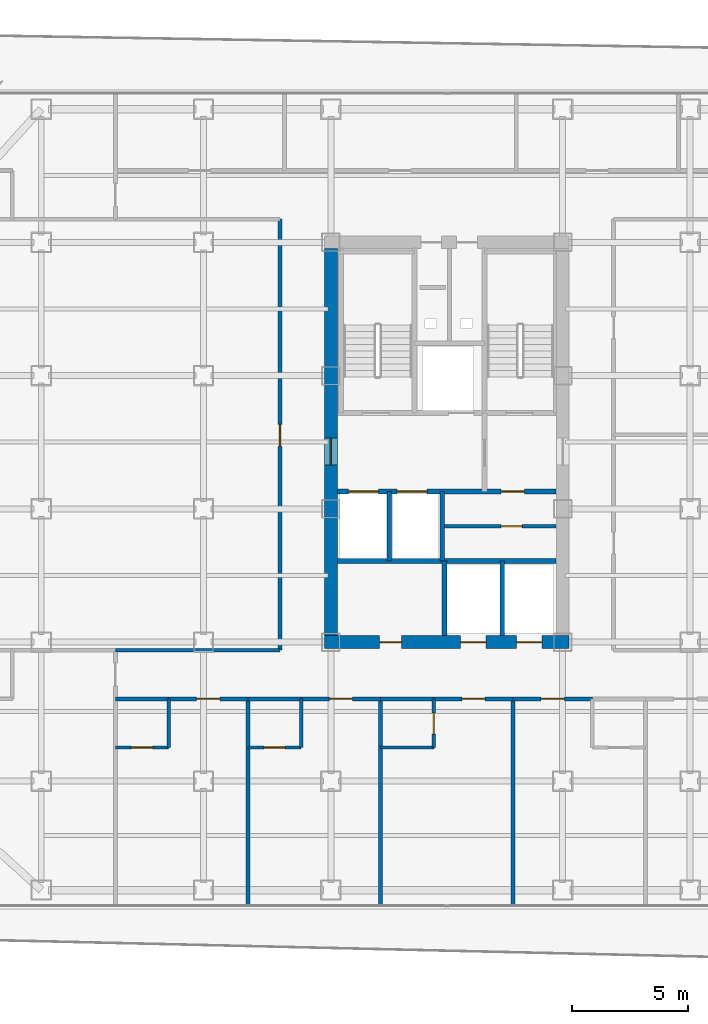
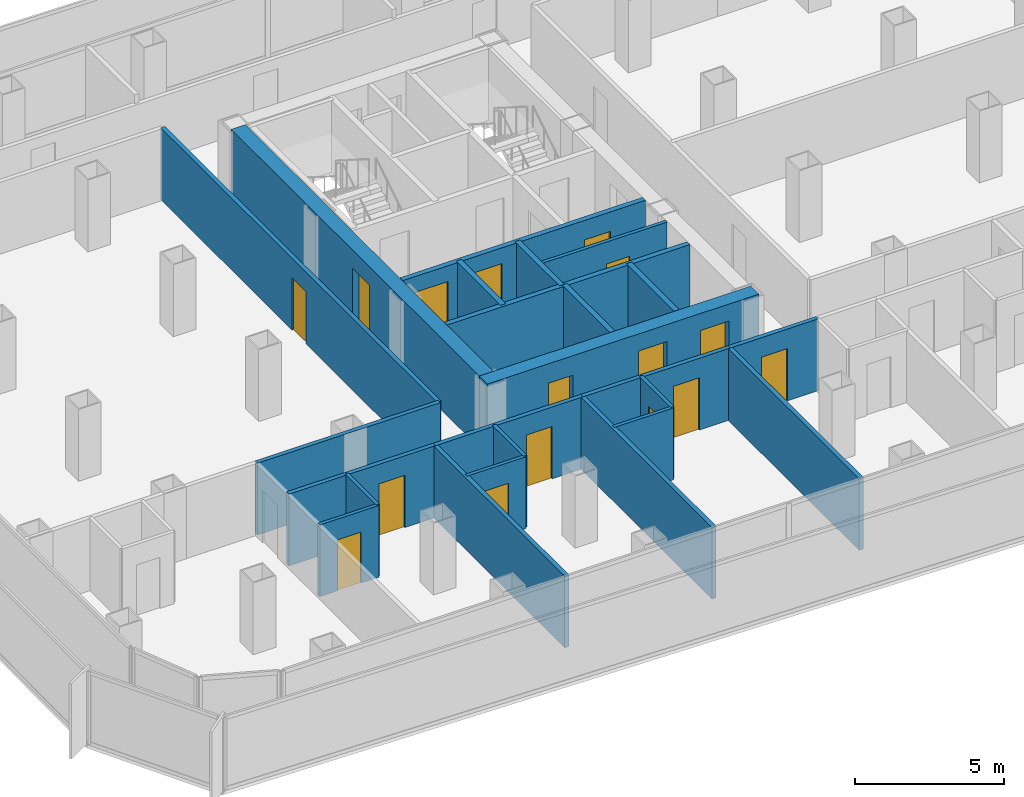
# One storey, part 16 of 21: 27 walls, 16 doors, 16 openings.
"""IFC4 building model written with IfcOpenShell, lengths in metres."""

from ifc_helpers import new_model, si_unit, direction, frame, frame_2d, origin, place, context, subcontext, project, spatial, rectangle, extrude, material, layer, layer_set, type_object, element, fill, save


model = new_model("IFC4")

# Units and contexts
model_context = context("Model", 3, precision=1e-05, world=origin(), true_north=direction((0.0, 1.0)))
body_context = subcontext(model_context, "Body", "Model", "MODEL_VIEW")
ifc_project = project(units=[si_unit("LENGTHUNIT", "METRE"), si_unit("AREAUNIT", "SQUARE_METRE"), si_unit("VOLUMEUNIT", "CUBIC_METRE"), si_unit("PLANEANGLEUNIT", "RADIAN"), si_unit("MASSUNIT", "GRAM", prefix="KILO")], contexts=[model_context])

# Site, building, storey
site_placement = place(None, origin())
site = spatial("IfcSite", under=ifc_project, at=site_placement, CompositionType="ELEMENT")
building_placement = place(site_placement, origin())
building = spatial("IfcBuilding", under=site, at=building_placement, Name="Kolveth Station Tower", CompositionType="ELEMENT")
storey_placement = place(building_placement, frame((0.0, 0.0, 102.300048828125)))
storey = spatial("IfcBuildingStorey", under=building, at=storey_placement, Name="L27", CompositionType="ELEMENT", Elevation=102.300048828125)

# Wall, openings, doors
ifc_material_1 = material(Name="Concrete C60/75", Category="concrete")
ifc_layer_1 = layer(ifc_material_1, 0.550048828125)
ifc_layer_set_1 = layer_set([ifc_layer_1], Name="Concrete C60/75")
wall_type_1 = type_object("IfcWallType", Name="Wall_CW-550", PredefinedType="SHEAR", material=ifc_layer_set_1)
wall_1_placement = place(storey_placement, frame((18.22509765625, 11.5, 0.0), z_axis=(0.0, 0.0, 1.0), x_axis=(1.0, 0.0, 0.0)))
wall_1 = element("IfcWall", 1, at=wall_1_placement, inside=storey, type_object=wall_type_1, Name="L27 Core RC Shear Wall S", PredefinedType="SHEAR", context=body_context, shape_type="SweptSolid", body=[
    extrude(rectangle(XDim=10.5498046875, YDim=0.550048828125, at=frame_2d((5.27490234375, 0.0))), origin(), (0.0, 0.0, 1.0), 2.949951171875),
])
opening_1_placement = place(wall_1_placement, frame((2.375, 0.0, 0.0)))
opening_1 = element("IfcOpeningElement", 2, at=opening_1_placement, cuts=wall_1, Name="Opening ID1", PredefinedType="OPENING", context=body_context, shape_type="SweptSolid", body=[
    extrude(rectangle(XDim=0.949951171875, YDim=2.14990234375, at=frame_2d((0.47509765625, 1.074951171875))), frame((0.0, 0.284912109375, 0.0), z_axis=(0.0, -1.0, 0.0), x_axis=(1.0, 0.0, 0.0)), (0.0, 0.0, 1.0), 0.570068359375),
])
opening_2_placement = place(wall_1_placement, frame((5.875, 0.0, 0.0)))
opening_2 = element("IfcOpeningElement", 3, at=opening_2_placement, cuts=wall_1, Name="Opening LD1", PredefinedType="OPENING", context=body_context, shape_type="SweptSolid", body=[
    extrude(rectangle(XDim=1.10009765625, YDim=2.25, at=frame_2d((0.550048828125, 1.125))), frame((0.0, 0.284912109375, 0.0), z_axis=(0.0, -1.0, 0.0), x_axis=(1.0, 0.0, 0.0)), (0.0, 0.0, 1.0), 0.570068359375),
])
opening_3_placement = place(wall_1_placement, frame((8.27490234375, 0.0, 0.0)))
opening_3 = element("IfcOpeningElement", 4, at=opening_3_placement, cuts=wall_1, Name="Opening LD1", PredefinedType="OPENING", context=body_context, shape_type="SweptSolid", body=[
    extrude(rectangle(XDim=1.10009765625, YDim=2.25, at=frame_2d((0.550048828125, 1.125))), frame((0.0, 0.284912109375, 0.0), z_axis=(0.0, -1.0, 0.0), x_axis=(1.0, 0.0, 0.0)), (0.0, 0.0, 1.0), 0.570068359375),
])
ifc_material_2 = material(Name="Acoustic hardwood leaf and aluminium frame", Category="wood")
door_type_1 = type_object("IfcDoorType", Name="Door_ID1", OperationType="NOTDEFINED", PredefinedType="DOOR", material=ifc_material_2)
door_1_placement = place(opening_1_placement, frame((0.949951171875, 0.0, 0.0), z_axis=(0.0, 0.0, 1.0), x_axis=(-1.0, 0.0, 0.0)))
door_1 = element("IfcDoor", 5, at=door_1_placement, inside=storey, type_object=door_type_1, Name="L27 Hotel Pantry Door", OperationType="SINGLE_SWING_LEFT", OverallHeight=2.14990234375, OverallWidth=0.949951171875, PredefinedType="DOOR", context=body_context, shape_type="SweptSolid", body=[
    extrude(rectangle(XDim=0.949951171875, YDim=2.14990234375, at=frame_2d((0.47509765625, 1.074951171875))), frame((0.0, 0.02490234375, 0.0), z_axis=(0.0, -1.0, 0.0), x_axis=(1.0, 0.0, 0.0)), (0.0, 0.0, 1.0), 0.050048828125),
])
fill(opening_1, door_1)
ifc_material_3 = material(Name="Brushed stainless steel sliding landing doors", Category="steel")
door_type_2 = type_object("IfcDoorType", Name="Door_LD1", OperationType="NOTDEFINED", PredefinedType="DOOR", material=ifc_material_3)
door_2_placement = place(opening_2_placement, frame((1.10009765625, 0.0, 0.0), z_axis=(0.0, 0.0, 1.0), x_axis=(-1.0, 0.0, 0.0)))
door_2 = element("IfcDoor", 6, at=door_2_placement, inside=storey, type_object=door_type_2, Name="L27 Lift PM1 Landing Door", OperationType="DOUBLE_DOOR_SLIDING", OverallHeight=2.25, OverallWidth=1.10009765625, PredefinedType="DOOR", context=body_context, shape_type="SweptSolid", body=[
    extrude(rectangle(XDim=1.10009765625, YDim=2.25, at=frame_2d((0.550048828125, 1.125))), frame((0.0, 0.02490234375, 0.0), z_axis=(0.0, -1.0, 0.0), x_axis=(1.0, 0.0, 0.0)), (0.0, 0.0, 1.0), 0.050048828125),
])
fill(opening_2, door_2)
door_3_placement = place(opening_3_placement, frame((1.10009765625, 0.0, 0.0), z_axis=(0.0, 0.0, 1.0), x_axis=(-1.0, 0.0, 0.0)))
door_3 = element("IfcDoor", 7, at=door_3_placement, inside=storey, type_object=door_type_2, Name="L27 Lift PH1 Landing Door", OperationType="DOUBLE_DOOR_SLIDING", OverallHeight=2.25, OverallWidth=1.10009765625, PredefinedType="DOOR", context=body_context, shape_type="SweptSolid", body=[
    extrude(rectangle(XDim=1.10009765625, YDim=2.25, at=frame_2d((0.550048828125, 1.125))), frame((0.0, 0.02490234375, 0.0), z_axis=(0.0, -1.0, 0.0), x_axis=(1.0, 0.0, 0.0)), (0.0, 0.0, 1.0), 0.050048828125),
])
fill(opening_3, door_3)

# Wall, opening, door
wall_2_placement = place(storey_placement, frame((18.5, 11.77490234375, 0.0), z_axis=(0.0, 0.0, 1.0), x_axis=(0.0, 1.0, 0.0)))
wall_2 = element("IfcWall", 8, at=wall_2_placement, inside=storey, type_object=wall_type_1, Name="L27 Core RC Shear Wall W", PredefinedType="SHEAR", context=body_context, shape_type="SweptSolid", body=[
    extrude(rectangle(XDim=16.7001953125, YDim=0.550048828125, at=frame_2d((8.35009765625, 0.0))), origin(), (0.0, 0.0, 1.0), 2.949951171875),
])
opening_4_placement = place(wall_2_placement, frame((7.375, 0.0, 0.0)))
opening_4 = element("IfcOpeningElement", 9, at=opening_4_placement, cuts=wall_2, Name="Opening FD1", PredefinedType="OPENING", context=body_context, shape_type="SweptSolid", body=[
    extrude(rectangle(XDim=1.14990234375, YDim=2.199951171875, at=frame_2d((0.574951171875, 1.10009765625))), frame((0.0, 0.284912109375, 0.0), z_axis=(0.0, -1.0, 0.0), x_axis=(1.0, 0.0, 0.0)), (0.0, 0.0, 1.0), 0.570068359375),
])
ifc_material_4 = material(Name="Fire-rated Steel S355 leaf and frame", Category="steel")
door_type_3 = type_object("IfcDoorType", Name="Door_FD1", OperationType="NOTDEFINED", PredefinedType="DOOR", material=ifc_material_4)
door_4_placement = place(opening_4_placement, frame((1.14990234375, 0.0, 0.0), z_axis=(0.0, 0.0, 1.0), x_axis=(-1.0, 0.0, 0.0)))
door_4 = element("IfcDoor", 10, at=door_4_placement, inside=storey, type_object=door_type_3, Name="L27 West Corridor to Firefighting Lobby Door", OperationType="SINGLE_SWING_LEFT", OverallHeight=2.199951171875, OverallWidth=1.14990234375, PredefinedType="DOOR", context=body_context, shape_type="SweptSolid", body=[
    extrude(rectangle(XDim=1.14990234375, YDim=2.199951171875, at=frame_2d((0.574951171875, 1.10009765625))), frame((0.0, 0.02490234375, 0.0), z_axis=(0.0, -1.0, 0.0), x_axis=(1.0, 0.0, 0.0)), (0.0, 0.0, 1.0), 0.050048828125),
])
fill(opening_4, door_4)

ifc_material_5 = material(Name="Moisture-resistant gypsum partition")
ifc_layer_2 = layer(ifc_material_5, 0.135009765625)
ifc_layer_set_2 = layer_set([ifc_layer_2], Name="Moisture-resistant gypsum partition")
wall_type_2 = type_object("IfcWallType", Name="Wall_IW-135", PredefinedType="PARTITIONING", material=ifc_layer_set_2)
wall_3_placement = place(storey_placement, frame((23.300048828125, 16.5, 0.0), z_axis=(0.0, 0.0, 1.0), x_axis=(1.0, 0.0, 0.0)))
wall_3 = element("IfcWall", 11, at=wall_3_placement, inside=storey, type_object=wall_type_2, Name="L27 Partition Wall WL-L27-CB-H1", PredefinedType="PARTITIONING", context=body_context, shape_type="SweptSolid", body=[
    extrude(rectangle(XDim=4.9150390625, YDim=0.135009765625, at=frame_2d((2.45751953125, 0.0))), origin(), (0.0, 0.0, 1.0), 2.949951171875),
])
opening_5_placement = place(wall_3_placement, frame((2.550048828125, 0.0, 0.0)))
opening_5 = element("IfcOpeningElement", 12, at=opening_5_placement, cuts=wall_3, Name="Opening RD1", PredefinedType="OPENING", context=body_context, shape_type="SweptSolid", body=[
    extrude(rectangle(XDim=0.89990234375, YDim=2.050048828125, at=frame_2d((0.449951171875, 1.02490234375))), frame((0.0, 0.077392578125, 0.0), z_axis=(0.0, -1.0, 0.0), x_axis=(1.0, 0.0, 0.0)), (0.0, 0.0, 1.0), 0.155029296875),
])
ifc_material_6 = material(Name="Fire-rated Steel S355 riser access leaf", Category="steel")
door_type_4 = type_object("IfcDoorType", Name="Door_RD1", OperationType="NOTDEFINED", PredefinedType="DOOR", material=ifc_material_6)
door_5_placement = place(opening_5_placement, frame((0.89990234375, 0.0, 0.0), z_axis=(0.0, 0.0, 1.0), x_axis=(-1.0, 0.0, 0.0)))
door_5 = element("IfcDoor", 13, at=door_5_placement, inside=storey, type_object=door_type_4, Name="L27 Core Equipment Store Door", OperationType="SINGLE_SWING_RIGHT", OverallHeight=2.050048828125, OverallWidth=0.89990234375, PredefinedType="DOOR", context=body_context, shape_type="SweptSolid", body=[
    extrude(rectangle(XDim=0.89990234375, YDim=2.050048828125, at=frame_2d((0.449951171875, 1.02490234375))), frame((0.0, 0.02490234375, 0.0), z_axis=(0.0, -1.0, 0.0), x_axis=(1.0, 0.0, 0.0)), (0.0, 0.0, 1.0), 0.050048828125),
])
fill(opening_5, door_5)

# Wall
wall_4_placement = place(storey_placement, frame((11.5, 6.949951171875, 0.0), z_axis=(0.0, 0.0, 1.0), x_axis=(0.0, 1.0, 0.0)))
element("IfcWall", 14, at=wall_4_placement, inside=storey, type_object=wall_type_2, Name="L27 Partition Wall WL-L27-HS1-BV", PredefinedType="PARTITIONING", context=body_context, shape_type="SweptSolid", body=[
    extrude(rectangle(XDim=2.10009765625, YDim=0.135009765625, at=frame_2d((1.050048828125, 0.0))), origin(), (0.0, 0.0, 1.0), 2.949951171875),
])

# Wall, opening, door
wall_5_placement = place(storey_placement, frame((9.199951171875, 6.949951171875, 0.0), z_axis=(0.0, 0.0, 1.0), x_axis=(1.0, 0.0, 0.0)))
wall_5 = element("IfcWall", 15, at=wall_5_placement, inside=storey, type_object=wall_type_2, Name="L27 Partition Wall WL-L27-HS1-BH", PredefinedType="PARTITIONING", context=body_context, shape_type="SweptSolid", body=[
    extrude(rectangle(XDim=2.300048828125, YDim=0.135009765625, at=frame_2d((1.14990234375, 0.0))), origin(), (0.0, 0.0, 1.0), 2.949951171875),
])
opening_6_placement = place(wall_5_placement, frame((0.68994140625, 0.0, 0.0)))
opening_6 = element("IfcOpeningElement", 16, at=opening_6_placement, cuts=wall_5, Name="Opening ID2", PredefinedType="OPENING", context=body_context, shape_type="SweptSolid", body=[
    extrude(rectangle(XDim=0.919921875, YDim=2.10009765625, at=frame_2d((0.4599609375, 1.050048828125))), frame((0.0, 0.077392578125, 0.0), z_axis=(0.0, -1.0, 0.0), x_axis=(1.0, 0.0, 0.0)), (0.0, 0.0, 1.0), 0.155029296875),
])
ifc_material_7 = material(Name="Moisture-resistant hardwood leaf", Category="wood")
door_type_5 = type_object("IfcDoorType", Name="Door_ID2", OperationType="NOTDEFINED", PredefinedType="DOOR", material=ifc_material_7)
door_6_placement = place(opening_6_placement, origin())
door_6 = element("IfcDoor", 17, at=door_6_placement, inside=storey, type_object=door_type_5, Name="L27 Hotel Guest Room HS1 En-Suite Door", OperationType="SINGLE_SWING_RIGHT", OverallHeight=2.10009765625, OverallWidth=0.919921875, PredefinedType="DOOR", context=body_context, shape_type="SweptSolid", body=[
    extrude(rectangle(XDim=0.919921875, YDim=2.10009765625, at=frame_2d((0.4599609375, 1.050048828125))), frame((0.0, 0.02490234375, 0.0), z_axis=(0.0, -1.0, 0.0), x_axis=(1.0, 0.0, 0.0)), (0.0, 0.0, 1.0), 0.050048828125),
])
fill(opening_6, door_6)

# Wall
wall_6_placement = place(storey_placement, frame((17.219970703125, 6.949951171875, 0.0), z_axis=(0.0, 0.0, 1.0), x_axis=(0.0, 1.0, 0.0)))
element("IfcWall", 18, at=wall_6_placement, inside=storey, type_object=wall_type_2, Name="L27 Partition Wall WL-L27-HS2-BV", PredefinedType="PARTITIONING", context=body_context, shape_type="SweptSolid", body=[
    extrude(rectangle(XDim=2.10009765625, YDim=0.135009765625, at=frame_2d((1.050048828125, 0.0))), origin(), (0.0, 0.0, 1.0), 2.949951171875),
])

# Wall, opening, door
wall_7_placement = place(storey_placement, frame((14.919921875, 6.949951171875, 0.0), z_axis=(0.0, 0.0, 1.0), x_axis=(1.0, 0.0, 0.0)))
wall_7 = element("IfcWall", 19, at=wall_7_placement, inside=storey, type_object=wall_type_2, Name="L27 Partition Wall WL-L27-HS2-BH", PredefinedType="PARTITIONING", context=body_context, shape_type="SweptSolid", body=[
    extrude(rectangle(XDim=2.300048828125, YDim=0.135009765625, at=frame_2d((1.14990234375, 0.0))), origin(), (0.0, 0.0, 1.0), 2.949951171875),
])
opening_7_placement = place(wall_7_placement, frame((0.68994140625, 0.0, 0.0)))
opening_7 = element("IfcOpeningElement", 20, at=opening_7_placement, cuts=wall_7, Name="Opening ID2", PredefinedType="OPENING", context=body_context, shape_type="SweptSolid", body=[
    extrude(rectangle(XDim=0.919921875, YDim=2.10009765625, at=frame_2d((0.4599609375, 1.050048828125))), frame((0.0, 0.077392578125, 0.0), z_axis=(0.0, -1.0, 0.0), x_axis=(1.0, 0.0, 0.0)), (0.0, 0.0, 1.0), 0.155029296875),
])
door_7_placement = place(opening_7_placement, origin())
door_7 = element("IfcDoor", 21, at=door_7_placement, inside=storey, type_object=door_type_5, Name="L27 Hotel Guest Room HS2 En-Suite Door", OperationType="SINGLE_SWING_LEFT", OverallHeight=2.10009765625, OverallWidth=0.919921875, PredefinedType="DOOR", context=body_context, shape_type="SweptSolid", body=[
    extrude(rectangle(XDim=0.919921875, YDim=2.10009765625, at=frame_2d((0.4599609375, 1.050048828125))), frame((0.0, 0.02490234375, 0.0), z_axis=(0.0, -1.0, 0.0), x_axis=(1.0, 0.0, 0.0)), (0.0, 0.0, 1.0), 0.050048828125),
])
fill(opening_7, door_7)

wall_8_placement = place(storey_placement, frame((22.93994140625, 6.949951171875, 0.0), z_axis=(0.0, 0.0, 1.0), x_axis=(0.0, 1.0, 0.0)))
wall_8 = element("IfcWall", 22, at=wall_8_placement, inside=storey, type_object=wall_type_2, Name="L27 Partition Wall WL-L27-HS3-BV", PredefinedType="PARTITIONING", context=body_context, shape_type="SweptSolid", body=[
    extrude(rectangle(XDim=2.10009765625, YDim=0.135009765625, at=frame_2d((1.050048828125, 0.0))), origin(), (0.0, 0.0, 1.0), 2.949951171875),
])
opening_8_placement = place(wall_8_placement, frame((0.580078125, 0.0, 0.0)))
opening_8 = element("IfcOpeningElement", 23, at=opening_8_placement, cuts=wall_8, Name="Opening ID2", PredefinedType="OPENING", context=body_context, shape_type="SweptSolid", body=[
    extrude(rectangle(XDim=0.919921875, YDim=2.10009765625, at=frame_2d((0.4599609375, 1.050048828125))), frame((0.0, 0.077392578125, 0.0), z_axis=(0.0, -1.0, 0.0), x_axis=(1.0, 0.0, 0.0)), (0.0, 0.0, 1.0), 0.155029296875),
])
door_8_placement = place(opening_8_placement, frame((0.919921875, 0.0, 0.0), z_axis=(0.0, 0.0, 1.0), x_axis=(-1.0, 0.0, 0.0)))
door_8 = element("IfcDoor", 24, at=door_8_placement, inside=storey, type_object=door_type_5, Name="L27 Hotel Guest Room HS3 En-Suite Door", OperationType="SINGLE_SWING_RIGHT", OverallHeight=2.10009765625, OverallWidth=0.919921875, PredefinedType="DOOR", context=body_context, shape_type="SweptSolid", body=[
    extrude(rectangle(XDim=0.919921875, YDim=2.10009765625, at=frame_2d((0.4599609375, 1.050048828125))), frame((0.0, 0.02490234375, 0.0), z_axis=(0.0, -1.0, 0.0), x_axis=(1.0, 0.0, 0.0)), (0.0, 0.0, 1.0), 0.050048828125),
])
fill(opening_8, door_8)

# Walls
wall_9_placement = place(storey_placement, frame((20.639892578125, 6.949951171875, 0.0), z_axis=(0.0, 0.0, 1.0), x_axis=(1.0, 0.0, 0.0)))
element("IfcWall", 25, at=wall_9_placement, inside=storey, type_object=wall_type_2, Name="L27 Partition Wall WL-L27-HS3-BH", PredefinedType="PARTITIONING", context=body_context, shape_type="SweptSolid", body=[
    extrude(rectangle(XDim=2.300048828125, YDim=0.135009765625, at=frame_2d((1.14990234375, 0.0))), origin(), (0.0, 0.0, 1.0), 2.949951171875),
])
ifc_material_8 = material(Name="Acoustic double-stud gypsum partition")
ifc_layer_3 = layer(ifc_material_8, 0.1650390625)
ifc_layer_set_3 = layer_set([ifc_layer_3], Name="Acoustic double-stud gypsum partition")
wall_type_3 = type_object("IfcWallType", Name="Wall_IW-165", PredefinedType="PARTITIONING", material=ifc_layer_set_3)
wall_10_placement = place(storey_placement, frame((9.199951171875, 11.14990234375, 0.0), z_axis=(0.0, 0.0, 1.0), x_axis=(1.0, 0.0, 0.0)))
element("IfcWall", 26, at=wall_10_placement, inside=storey, type_object=wall_type_3, Name="L27 Partition Wall WL-L27-HSWT", PredefinedType="PARTITIONING", context=body_context, shape_type="SweptSolid", body=[
    extrude(rectangle(XDim=7.10009765625, YDim=0.1650390625, at=frame_2d((3.550048828125, 0.0))), origin(), (0.0, 0.0, 1.0), 2.949951171875),
])

# Wall, opening, door
wall_11_placement = place(storey_placement, frame((16.300048828125, 11.14990234375, 0.0), z_axis=(0.0, 0.0, 1.0), x_axis=(0.0, 1.0, 0.0)))
wall_11 = element("IfcWall", 27, at=wall_11_placement, inside=storey, type_object=wall_type_3, Name="L27 Partition Wall WL-L27-HW", PredefinedType="PARTITIONING", context=body_context, shape_type="SweptSolid", body=[
    extrude(rectangle(XDim=18.60009765625, YDim=0.1650390625, at=frame_2d((9.300048828125, 0.0))), origin(), (0.0, 0.0, 1.0), 2.949951171875),
])
opening_9_placement = place(wall_11_placement, frame((8.800048828125, 0.0, 0.0)))
opening_9 = element("IfcOpeningElement", 28, at=opening_9_placement, cuts=wall_11, Name="Opening ID1", PredefinedType="OPENING", context=body_context, shape_type="SweptSolid", body=[
    extrude(rectangle(XDim=0.949951171875, YDim=2.14990234375, at=frame_2d((0.47509765625, 1.074951171875))), frame((0.0, 0.092529296875, 0.0), z_axis=(0.0, -1.0, 0.0), x_axis=(1.0, 0.0, 0.0)), (0.0, 0.0, 1.0), 0.18505859375),
])
door_9_placement = place(opening_9_placement, frame((0.949951171875, 0.0, 0.0), z_axis=(0.0, 0.0, 1.0), x_axis=(-1.0, 0.0, 0.0)))
door_9 = element("IfcDoor", 29, at=door_9_placement, inside=storey, type_object=door_type_1, Name="L27 Executive Banquet Salon Door", OperationType="SINGLE_SWING_RIGHT", OverallHeight=2.14990234375, OverallWidth=0.949951171875, PredefinedType="DOOR", context=body_context, shape_type="SweptSolid", body=[
    extrude(rectangle(XDim=0.949951171875, YDim=2.14990234375, at=frame_2d((0.47509765625, 1.074951171875))), frame((0.0, 0.02490234375, 0.0), z_axis=(0.0, -1.0, 0.0), x_axis=(1.0, 0.0, 0.0)), (0.0, 0.0, 1.0), 0.050048828125),
])
fill(opening_9, door_9)

# Wall
wall_12_placement = place(storey_placement, frame((9.199951171875, 9.050048828125, 0.0), z_axis=(0.0, 0.0, 1.0), x_axis=(1.0, 0.0, 0.0)))
element("IfcWall", 30, at=wall_12_placement, inside=storey, type_object=wall_type_3, Name="L27 Partition Wall WL-L27-HS1-BCOR", PredefinedType="PARTITIONING", context=body_context, shape_type="SweptSolid", body=[
    extrude(rectangle(XDim=2.300048828125, YDim=0.1650390625, at=frame_2d((1.14990234375, 0.0))), origin(), (0.0, 0.0, 1.0), 2.949951171875),
])

# Wall, opening, door
wall_13_placement = place(storey_placement, frame((11.5, 9.050048828125, 0.0), z_axis=(0.0, 0.0, 1.0), x_axis=(1.0, 0.0, 0.0)))
wall_13 = element("IfcWall", 31, at=wall_13_placement, inside=storey, type_object=wall_type_3, Name="L27 Partition Wall WL-L27-HS1-RCOR", PredefinedType="PARTITIONING", context=body_context, shape_type="SweptSolid", body=[
    extrude(rectangle(XDim=3.419921875, YDim=0.1650390625, at=frame_2d((1.7099609375, 0.0))), origin(), (0.0, 0.0, 1.0), 2.949951171875),
])
opening_10_placement = place(wall_13_placement, frame((1.2099609375, 0.0, 0.0)))
opening_10 = element("IfcOpeningElement", 32, at=opening_10_placement, cuts=wall_13, Name="Opening FD3", PredefinedType="OPENING", context=body_context, shape_type="SweptSolid", body=[
    extrude(rectangle(XDim=1.0, YDim=2.14990234375, at=frame_2d((0.5, 1.074951171875))), frame((0.0, 0.092529296875, 0.0), z_axis=(0.0, -1.0, 0.0), x_axis=(1.0, 0.0, 0.0)), (0.0, 0.0, 1.0), 0.18505859375),
])
ifc_material_9 = material(Name="Fire-rated hardwood leaf and aluminium frame", Category="wood")
door_type_6 = type_object("IfcDoorType", Name="Door_FD3", OperationType="NOTDEFINED", PredefinedType="DOOR", material=ifc_material_9)
door_10_placement = place(opening_10_placement, frame((1.0, 0.0, 0.0), z_axis=(0.0, 0.0, 1.0), x_axis=(-1.0, 0.0, 0.0)))
door_10 = element("IfcDoor", 33, at=door_10_placement, inside=storey, type_object=door_type_6, Name="L27 Hotel Guest Room HS1 Entrance Door", OperationType="SINGLE_SWING_LEFT", OverallHeight=2.14990234375, OverallWidth=1.0, PredefinedType="DOOR", context=body_context, shape_type="SweptSolid", body=[
    extrude(rectangle(XDim=1.0, YDim=2.14990234375, at=frame_2d((0.5, 1.074951171875))), frame((0.0, 0.02490234375, 0.0), z_axis=(0.0, -1.0, 0.0), x_axis=(1.0, 0.0, 0.0)), (0.0, 0.0, 1.0), 0.050048828125),
])
fill(opening_10, door_10)

# Walls
wall_14_placement = place(storey_placement, frame((14.919921875, 0.159912109375, 0.0), z_axis=(0.0, 0.0, 1.0), x_axis=(0.0, 1.0, 0.0)))
element("IfcWall", 34, at=wall_14_placement, inside=storey, type_object=wall_type_3, Name="L27 Partition Wall WL-L27-HSK-1", PredefinedType="PARTITIONING", context=body_context, shape_type="SweptSolid", body=[
    extrude(rectangle(XDim=8.89013671875, YDim=0.1650390625, at=frame_2d((4.445068359375, 0.0))), origin(), (0.0, 0.0, 1.0), 2.949951171875),
])
wall_15_placement = place(storey_placement, frame((14.919921875, 9.050048828125, 0.0), z_axis=(0.0, 0.0, 1.0), x_axis=(1.0, 0.0, 0.0)))
element("IfcWall", 35, at=wall_15_placement, inside=storey, type_object=wall_type_3, Name="L27 Partition Wall WL-L27-HS2-BCOR", PredefinedType="PARTITIONING", context=body_context, shape_type="SweptSolid", body=[
    extrude(rectangle(XDim=2.300048828125, YDim=0.1650390625, at=frame_2d((1.14990234375, 0.0))), origin(), (0.0, 0.0, 1.0), 2.949951171875),
])

# Wall, opening, door
wall_16_placement = place(storey_placement, frame((17.219970703125, 9.050048828125, 0.0), z_axis=(0.0, 0.0, 1.0), x_axis=(1.0, 0.0, 0.0)))
wall_16 = element("IfcWall", 36, at=wall_16_placement, inside=storey, type_object=wall_type_3, Name="L27 Partition Wall WL-L27-HS2-RCOR", PredefinedType="PARTITIONING", context=body_context, shape_type="SweptSolid", body=[
    extrude(rectangle(XDim=3.419921875, YDim=0.1650390625, at=frame_2d((1.7099609375, 0.0))), origin(), (0.0, 0.0, 1.0), 2.949951171875),
])
opening_11_placement = place(wall_16_placement, frame((1.2099609375, 0.0, 0.0)))
opening_11 = element("IfcOpeningElement", 37, at=opening_11_placement, cuts=wall_16, Name="Opening FD3", PredefinedType="OPENING", context=body_context, shape_type="SweptSolid", body=[
    extrude(rectangle(XDim=1.0, YDim=2.14990234375, at=frame_2d((0.5, 1.074951171875))), frame((0.0, 0.092529296875, 0.0), z_axis=(0.0, -1.0, 0.0), x_axis=(1.0, 0.0, 0.0)), (0.0, 0.0, 1.0), 0.18505859375),
])
door_11_placement = place(opening_11_placement, frame((1.0, 0.0, 0.0), z_axis=(0.0, 0.0, 1.0), x_axis=(-1.0, 0.0, 0.0)))
door_11 = element("IfcDoor", 38, at=door_11_placement, inside=storey, type_object=door_type_6, Name="L27 Hotel Guest Room HS2 Entrance Door", OperationType="SINGLE_SWING_LEFT", OverallHeight=2.14990234375, OverallWidth=1.0, PredefinedType="DOOR", context=body_context, shape_type="SweptSolid", body=[
    extrude(rectangle(XDim=1.0, YDim=2.14990234375, at=frame_2d((0.5, 1.074951171875))), frame((0.0, 0.02490234375, 0.0), z_axis=(0.0, -1.0, 0.0), x_axis=(1.0, 0.0, 0.0)), (0.0, 0.0, 1.0), 0.050048828125),
])
fill(opening_11, door_11)

# Walls
wall_17_placement = place(storey_placement, frame((20.639892578125, 0.159912109375, 0.0), z_axis=(0.0, 0.0, 1.0), x_axis=(0.0, 1.0, 0.0)))
element("IfcWall", 39, at=wall_17_placement, inside=storey, type_object=wall_type_3, Name="L27 Partition Wall WL-L27-HSK-2", PredefinedType="PARTITIONING", context=body_context, shape_type="SweptSolid", body=[
    extrude(rectangle(XDim=8.89013671875, YDim=0.1650390625, at=frame_2d((4.445068359375, 0.0))), origin(), (0.0, 0.0, 1.0), 2.949951171875),
])
wall_18_placement = place(storey_placement, frame((20.639892578125, 9.050048828125, 0.0), z_axis=(0.0, 0.0, 1.0), x_axis=(1.0, 0.0, 0.0)))
element("IfcWall", 40, at=wall_18_placement, inside=storey, type_object=wall_type_3, Name="L27 Partition Wall WL-L27-HS3-BCOR", PredefinedType="PARTITIONING", context=body_context, shape_type="SweptSolid", body=[
    extrude(rectangle(XDim=2.300048828125, YDim=0.1650390625, at=frame_2d((1.14990234375, 0.0))), origin(), (0.0, 0.0, 1.0), 2.949951171875),
])

# Wall, opening, door
wall_19_placement = place(storey_placement, frame((22.93994140625, 9.050048828125, 0.0), z_axis=(0.0, 0.0, 1.0), x_axis=(1.0, 0.0, 0.0)))
wall_19 = element("IfcWall", 41, at=wall_19_placement, inside=storey, type_object=wall_type_3, Name="L27 Partition Wall WL-L27-HS3-RCOR", PredefinedType="PARTITIONING", context=body_context, shape_type="SweptSolid", body=[
    extrude(rectangle(XDim=3.420166015625, YDim=0.1650390625, at=frame_2d((1.7099609375, 0.0))), origin(), (0.0, 0.0, 1.0), 2.949951171875),
])
opening_12_placement = place(wall_19_placement, frame((1.2099609375, 0.0, 0.0)))
opening_12 = element("IfcOpeningElement", 42, at=opening_12_placement, cuts=wall_19, Name="Opening FD3", PredefinedType="OPENING", context=body_context, shape_type="SweptSolid", body=[
    extrude(rectangle(XDim=1.0, YDim=2.14990234375, at=frame_2d((0.5, 1.074951171875))), frame((0.0, 0.092529296875, 0.0), z_axis=(0.0, -1.0, 0.0), x_axis=(1.0, 0.0, 0.0)), (0.0, 0.0, 1.0), 0.18505859375),
])
door_12_placement = place(opening_12_placement, frame((1.0, 0.0, 0.0), z_axis=(0.0, 0.0, 1.0), x_axis=(-1.0, 0.0, 0.0)))
door_12 = element("IfcDoor", 43, at=door_12_placement, inside=storey, type_object=door_type_6, Name="L27 Hotel Guest Room HS3 Entrance Door", OperationType="SINGLE_SWING_LEFT", OverallHeight=2.14990234375, OverallWidth=1.0, PredefinedType="DOOR", context=body_context, shape_type="SweptSolid", body=[
    extrude(rectangle(XDim=1.0, YDim=2.14990234375, at=frame_2d((0.5, 1.074951171875))), frame((0.0, 0.02490234375, 0.0), z_axis=(0.0, -1.0, 0.0), x_axis=(1.0, 0.0, 0.0)), (0.0, 0.0, 1.0), 0.050048828125),
])
fill(opening_12, door_12)

# Wall
wall_20_placement = place(storey_placement, frame((26.360107421875, 0.159912109375, 0.0), z_axis=(0.0, 0.0, 1.0), x_axis=(0.0, 1.0, 0.0)))
element("IfcWall", 44, at=wall_20_placement, inside=storey, type_object=wall_type_3, Name="L27 Partition Wall WL-L27-HSK-3", PredefinedType="PARTITIONING", context=body_context, shape_type="SweptSolid", body=[
    extrude(rectangle(XDim=8.89013671875, YDim=0.1650390625, at=frame_2d((4.445068359375, 0.0))), origin(), (0.0, 0.0, 1.0), 2.949951171875),
])

# Wall, opening, door
wall_21_placement = place(storey_placement, frame((26.360107421875, 9.050048828125, 0.0), z_axis=(0.0, 0.0, 1.0), x_axis=(1.0, 0.0, 0.0)))
wall_21 = element("IfcWall", 45, at=wall_21_placement, inside=storey, type_object=wall_type_3, Name="L27 Partition Wall WL-L27-HS4-RCOR", PredefinedType="PARTITIONING", context=body_context, shape_type="SweptSolid", body=[
    extrude(rectangle(XDim=3.419921875, YDim=0.1650390625, at=frame_2d((1.7099609375, 0.0))), origin(), (0.0, 0.0, 1.0), 2.949951171875),
])
opening_13_placement = place(wall_21_placement, frame((1.2099609375, 0.0, 0.0)))
opening_13 = element("IfcOpeningElement", 46, at=opening_13_placement, cuts=wall_21, Name="Opening FD3", PredefinedType="OPENING", context=body_context, shape_type="SweptSolid", body=[
    extrude(rectangle(XDim=1.0, YDim=2.14990234375, at=frame_2d((0.5, 1.074951171875))), frame((0.0, 0.092529296875, 0.0), z_axis=(0.0, -1.0, 0.0), x_axis=(1.0, 0.0, 0.0)), (0.0, 0.0, 1.0), 0.18505859375),
])
door_13_placement = place(opening_13_placement, frame((1.0, 0.0, 0.0), z_axis=(0.0, 0.0, 1.0), x_axis=(-1.0, 0.0, 0.0)))
door_13 = element("IfcDoor", 47, at=door_13_placement, inside=storey, type_object=door_type_6, Name="L27 Hotel Guest Room HS4 Entrance Door", OperationType="SINGLE_SWING_LEFT", OverallHeight=2.14990234375, OverallWidth=1.0, PredefinedType="DOOR", context=body_context, shape_type="SweptSolid", body=[
    extrude(rectangle(XDim=1.0, YDim=2.14990234375, at=frame_2d((0.5, 1.074951171875))), frame((0.0, 0.02490234375, 0.0), z_axis=(0.0, -1.0, 0.0), x_axis=(1.0, 0.0, 0.0)), (0.0, 0.0, 1.0), 0.050048828125),
])
fill(opening_13, door_13)

# Wall, openings, doors
ifc_material_10 = material(Name="Acoustic fire-rated gypsum blockwork", Category="masonry")
ifc_layer_4 = layer(ifc_material_10, 0.199951171875)
ifc_layer_set_4 = layer_set([ifc_layer_4], Name="Acoustic fire-rated gypsum blockwork")
wall_type_4 = type_object("IfcWallType", Name="Wall_IW-200", PredefinedType="PARTITIONING", material=ifc_layer_set_4)
wall_22_placement = place(storey_placement, frame((18.784912109375, 18.0, 0.0), z_axis=(0.0, 0.0, 1.0), x_axis=(1.0, 0.0, 0.0)))
wall_22 = element("IfcWall", 48, at=wall_22_placement, inside=storey, type_object=wall_type_4, Name="L27 Partition Wall WL-L27-FFL-S", PredefinedType="PARTITIONING", context=body_context, shape_type="SweptSolid", body=[
    extrude(rectangle(XDim=9.43017578125, YDim=0.199951171875, at=frame_2d((4.715087890625, 0.0))), origin(), (0.0, 0.0, 1.0), 2.949951171875),
])
opening_14_placement = place(wall_22_placement, frame((0.465087890625, 0.0, 0.0)))
opening_14 = element("IfcOpeningElement", 49, at=opening_14_placement, cuts=wall_22, Name="Opening LD2", PredefinedType="OPENING", context=body_context, shape_type="SweptSolid", body=[
    extrude(rectangle(XDim=1.300048828125, YDim=2.300048828125, at=frame_2d((0.64990234375, 1.14990234375))), frame((0.0, 0.10986328125, 0.0), z_axis=(0.0, -1.0, 0.0), x_axis=(1.0, 0.0, 0.0)), (0.0, 0.0, 1.0), 0.219970703125),
])
opening_15_placement = place(wall_22_placement, frame((2.56494140625, 0.0, 0.0)))
opening_15 = element("IfcOpeningElement", 50, at=opening_15_placement, cuts=wall_22, Name="Opening LD2", PredefinedType="OPENING", context=body_context, shape_type="SweptSolid", body=[
    extrude(rectangle(XDim=1.300048828125, YDim=2.300048828125, at=frame_2d((0.64990234375, 1.14990234375))), frame((0.0, 0.10986328125, 0.0), z_axis=(0.0, -1.0, 0.0), x_axis=(1.0, 0.0, 0.0)), (0.0, 0.0, 1.0), 0.219970703125),
])
opening_16_placement = place(wall_22_placement, frame((7.06494140625, 0.0, 0.0)))
opening_16 = element("IfcOpeningElement", 51, at=opening_16_placement, cuts=wall_22, Name="Opening FD3", PredefinedType="OPENING", context=body_context, shape_type="SweptSolid", body=[
    extrude(rectangle(XDim=1.0, YDim=2.14990234375, at=frame_2d((0.5, 1.074951171875))), frame((0.0, 0.10986328125, 0.0), z_axis=(0.0, -1.0, 0.0), x_axis=(1.0, 0.0, 0.0)), (0.0, 0.0, 1.0), 0.219970703125),
])
door_14_placement = place(opening_16_placement, frame((1.0, 0.0, 0.0), z_axis=(0.0, 0.0, 1.0), x_axis=(-1.0, 0.0, 0.0)))
door_14 = element("IfcDoor", 52, at=door_14_placement, inside=storey, type_object=door_type_6, Name="L27 Housekeeping and Linen Room Door", OperationType="SINGLE_SWING_LEFT", OverallHeight=2.14990234375, OverallWidth=1.0, PredefinedType="DOOR", context=body_context, shape_type="SweptSolid", body=[
    extrude(rectangle(XDim=1.0, YDim=2.14990234375, at=frame_2d((0.5, 1.074951171875))), frame((0.0, 0.02490234375, 0.0), z_axis=(0.0, -1.0, 0.0), x_axis=(1.0, 0.0, 0.0)), (0.0, 0.0, 1.0), 0.050048828125),
])
fill(opening_16, door_14)
ifc_material_11 = material(Name="Firefighting stainless steel sliding landing doors", Category="steel")
door_type_7 = type_object("IfcDoorType", Name="Door_LD2", OperationType="NOTDEFINED", PredefinedType="DOOR", material=ifc_material_11)
door_15_placement = place(opening_14_placement, origin())
door_15 = element("IfcDoor", 53, at=door_15_placement, inside=storey, type_object=door_type_7, Name="L27 Firefighting Lift FF1 Landing Door", OperationType="DOUBLE_DOOR_SLIDING", OverallHeight=2.300048828125, OverallWidth=1.300048828125, PredefinedType="DOOR", context=body_context, shape_type="SweptSolid", body=[
    extrude(rectangle(XDim=1.300048828125, YDim=2.300048828125, at=frame_2d((0.64990234375, 1.14990234375))), frame((0.0, 0.02490234375, 0.0), z_axis=(0.0, -1.0, 0.0), x_axis=(1.0, 0.0, 0.0)), (0.0, 0.0, 1.0), 0.050048828125),
])
fill(opening_14, door_15)
door_16_placement = place(opening_15_placement, origin())
door_16 = element("IfcDoor", 54, at=door_16_placement, inside=storey, type_object=door_type_7, Name="L27 Firefighting Lift FF2 Landing Door", OperationType="DOUBLE_DOOR_SLIDING", OverallHeight=2.300048828125, OverallWidth=1.300048828125, PredefinedType="DOOR", context=body_context, shape_type="SweptSolid", body=[
    extrude(rectangle(XDim=1.300048828125, YDim=2.300048828125, at=frame_2d((0.64990234375, 1.14990234375))), frame((0.0, 0.02490234375, 0.0), z_axis=(0.0, -1.0, 0.0), x_axis=(1.0, 0.0, 0.0)), (0.0, 0.0, 1.0), 0.050048828125),
])
fill(opening_15, door_16)

# Walls
for number, where, z_axis, x_axis, name in (
    (55, (21.02001953125, 15.0, 0.0), (0.0, 0.0, 1.0), (0.0, 1.0, 0.0), "L27 Partition Wall WL-L27-FF12"),
    (56, (23.300048828125, 15.0, 0.0), (0.0, 0.0, 1.0), (0.0, 1.0, 0.0), "L27 Partition Wall WL-L27-FF2E"),
):
    element("IfcWall", number, at=place(storey_placement, frame(where, z_axis=z_axis, x_axis=x_axis)), inside=storey, type_object=wall_type_4, Name=name, PredefinedType="PARTITIONING", context=body_context, shape_type="SweptSolid", body=[
        extrude(rectangle(XDim=3.0, YDim=0.199951171875, at=frame_2d((1.5, 0.0))), origin(), (0.0, 0.0, 1.0), 2.949951171875),
    ])
wall_23_placement = place(storey_placement, frame((18.784912109375, 15.0, 0.0), z_axis=(0.0, 0.0, 1.0), x_axis=(1.0, 0.0, 0.0)))
element("IfcWall", 57, at=wall_23_placement, inside=storey, type_object=wall_type_4, Name="L27 Partition Wall WL-L27-BOH-S", PredefinedType="PARTITIONING", context=body_context, shape_type="SweptSolid", body=[
    extrude(rectangle(XDim=9.43017578125, YDim=0.199951171875, at=frame_2d((4.715087890625, 0.0))), origin(), (0.0, 0.0, 1.0), 2.949951171875),
])
for number, where, z_axis, x_axis, name in (
    (58, (23.39990234375, 11.784912109375, 0.0), (0.0, 0.0, 1.0), (0.0, 1.0, 0.0), "L27 Partition Wall WL-L27-PL2E"),
    (59, (25.89990234375, 11.784912109375, 0.0), (0.0, 0.0, 1.0), (0.0, 1.0, 0.0), "L27 Partition Wall WL-L27-PMPH"),
):
    element("IfcWall", number, at=place(storey_placement, frame(where, z_axis=z_axis, x_axis=x_axis)), inside=storey, type_object=wall_type_4, Name=name, PredefinedType="PARTITIONING", context=body_context, shape_type="SweptSolid", body=[
        extrude(rectangle(XDim=3.215087890625, YDim=0.199951171875, at=frame_2d((1.607421875, 0.0))), origin(), (0.0, 0.0, 1.0), 2.949951171875),
    ])

save(model, "model.ifc")
